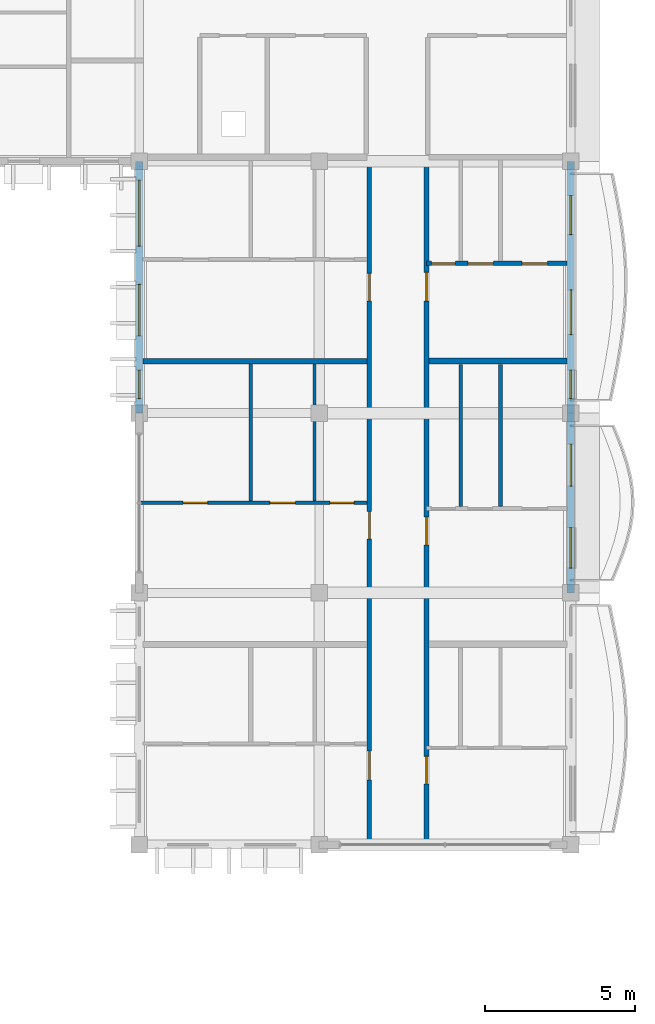
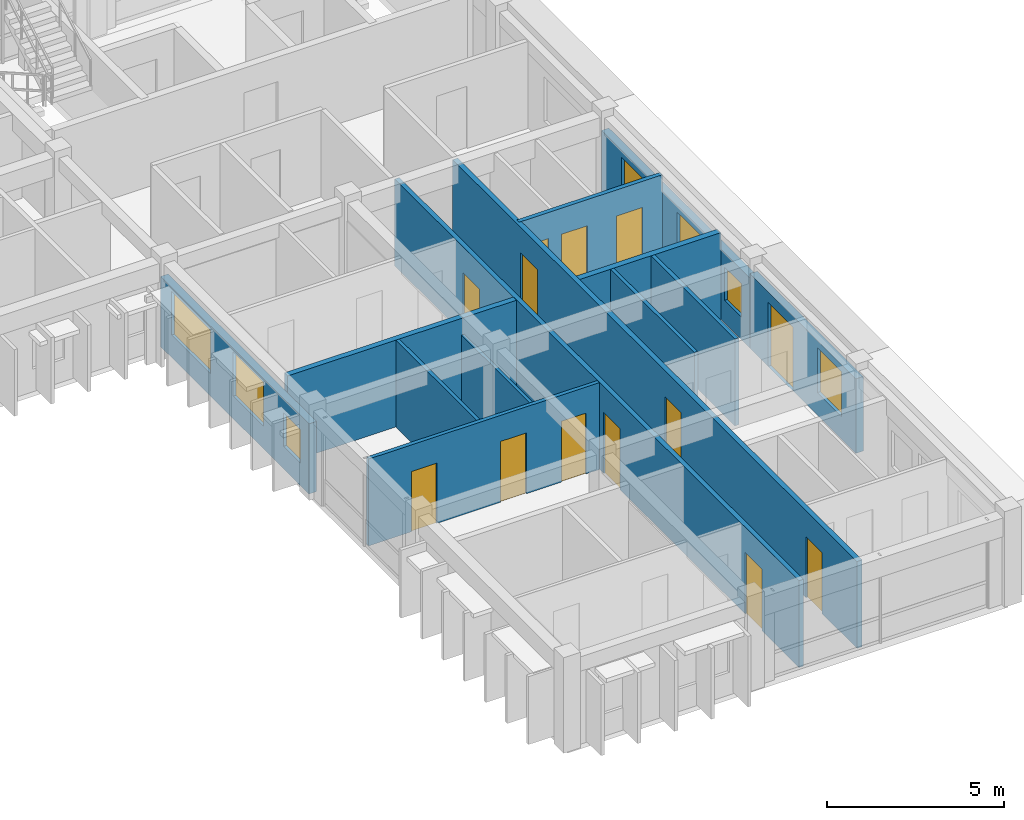
# One storey, part 17 of 31: 14 doors, 13 walls, 6 windows, 20 openings.
"""IFC4 building model written with IfcOpenShell, lengths in metres."""

from ifc_helpers import new_model, si_unit, direction, frame, frame_2d, origin, place, context, subcontext, project, spatial, rectangle, extrude, material, layer, layer_set, type_object, element, fill, save


model = new_model("IFC4")

# Units and contexts
model_context = context("Model", 3, precision=1e-05, world=origin(), true_north=direction((0.0, 1.0)))
body_context = subcontext(model_context, "Body", "Model", "MODEL_VIEW")
ifc_project = project(units=[si_unit("LENGTHUNIT", "METRE"), si_unit("AREAUNIT", "SQUARE_METRE"), si_unit("VOLUMEUNIT", "CUBIC_METRE"), si_unit("PLANEANGLEUNIT", "RADIAN"), si_unit("MASSUNIT", "GRAM", prefix="KILO"), si_unit("THERMODYNAMICTEMPERATUREUNIT", "KELVIN")], contexts=[model_context])

# Site, building, storey
site_placement = place(None, origin())
site = spatial("IfcSite", under=ifc_project, at=site_placement, CompositionType="ELEMENT")
building_placement = place(site_placement, origin())
building = spatial("IfcBuilding", under=site, at=building_placement, Name="Thalorik Housing Commons", CompositionType="ELEMENT")
storey_placement = place(building_placement, frame((0.0, 0.0, 37.800048828125)))
storey = spatial("IfcBuildingStorey", under=building, at=storey_placement, Name="L11", CompositionType="ELEMENT", Elevation=37.800048828125)

# Wall, openings, doors
ifc_material_1 = material(Name="Masonry fire-rated corridor wall", Category="masonry")
ifc_layer_1 = layer(ifc_material_1, 0.14990234375, Name="Masonry fire-rated corridor wall", Category="masonry")
ifc_layer_set_1 = layer_set([ifc_layer_1], Name="Masonry fire-rated corridor wall")
wall_type_1 = type_object("IfcWallType", Name="ARC-WAL-CORR-150", PredefinedType="PARTITIONING", material=ifc_layer_set_1)
wall_1_placement = place(storey_placement, frame((160.080078125, 86.4599609375, 0.0), z_axis=(0.0, 0.0, 1.0), x_axis=(0.0, 1.0, 0.0)))
wall_1 = element("IfcWall", 1, at=wall_1_placement, inside=storey, type_object=wall_type_1, Name="L11 Block B E Corridor Wall 1", PredefinedType="PARTITIONING", context=body_context, shape_type="SweptSolid", body=[
    extrude(rectangle(XDim=22.880126953125, YDim=0.14990234375, at=frame_2d((11.43994140625, 0.0))), origin(), (0.0, 0.0, 1.0), 3.0),
])
opening_1_placement = place(wall_1_placement, frame((2.10009765625, 0.0, 0.0)))
opening_1 = element("IfcOpeningElement", 2, at=opening_1_placement, cuts=wall_1, Name="Opening ID-1520", PredefinedType="OPENING", context=body_context, shape_type="SweptSolid", body=[
    extrude(rectangle(XDim=0.9599609375, YDim=2.1201171875, at=frame_2d((0.47998046875, 1.06005859375))), frame((0.0, 0.0849609375, 0.0), z_axis=(0.0, -1.0, 0.0), x_axis=(1.0, 0.0, 0.0)), (0.0, 0.0, 1.0), 0.169921875),
])
opening_2_placement = place(wall_1_placement, frame((10.135009765625, 0.0, 0.0)))
opening_2 = element("IfcOpeningElement", 3, at=opening_2_placement, cuts=wall_1, Name="Opening ID-1521", PredefinedType="OPENING", context=body_context, shape_type="SweptSolid", body=[
    extrude(rectangle(XDim=0.919921875, YDim=2.10009765625, at=frame_2d((0.4599609375, 1.050048828125))), frame((0.0, 0.0849609375, 0.0), z_axis=(0.0, -1.0, 0.0), x_axis=(1.0, 0.0, 0.0)), (0.0, 0.0, 1.0), 0.169921875),
])
opening_3_placement = place(wall_1_placement, frame((18.082763671875, 0.0, 0.0)))
opening_3 = element("IfcOpeningElement", 4, at=opening_3_placement, cuts=wall_1, Name="Opening ID-1522", PredefinedType="OPENING", context=body_context, shape_type="SweptSolid", body=[
    extrude(rectangle(XDim=0.919921875, YDim=2.10009765625, at=frame_2d((0.4599609375, 1.050048828125))), frame((0.0, 0.0849609375, 0.0), z_axis=(0.0, -1.0, 0.0), x_axis=(1.0, 0.0, 0.0)), (0.0, 0.0, 1.0), 0.169921875),
])
ifc_material_2 = material(Name="Solid core hardwood timber", Category="wood")
door_type_1 = type_object("IfcDoorType", Name="ARC-DR-FD30-920", OperationType="NOTDEFINED", PredefinedType="DOOR", material=ifc_material_2)
door_1_placement = place(opening_2_placement, origin())
door_1 = element("IfcDoor", 5, at=door_1_placement, inside=storey, type_object=door_type_1, Name="L11 Flat BE-2A Entrance Door", OperationType="SINGLE_SWING_RIGHT", OverallHeight=2.10009765625, OverallWidth=0.919921875, PredefinedType="DOOR", context=body_context, shape_type="SweptSolid", body=[
    extrude(rectangle(XDim=0.919921875, YDim=2.10009765625, at=frame_2d((0.4599609375, 1.050048828125))), frame((0.0, 0.02490234375, 0.0), z_axis=(0.0, -1.0, 0.0), x_axis=(1.0, 0.0, 0.0)), (0.0, 0.0, 1.0), 0.050048828125),
])
fill(opening_2, door_1)
door_2_placement = place(opening_3_placement, origin())
door_2 = element("IfcDoor", 6, at=door_2_placement, inside=storey, type_object=door_type_1, Name="L11 Flat BE-3A Entrance Door", OperationType="SINGLE_SWING_LEFT", OverallHeight=2.10009765625, OverallWidth=0.919921875, PredefinedType="DOOR", context=body_context, shape_type="SweptSolid", body=[
    extrude(rectangle(XDim=0.919921875, YDim=2.10009765625, at=frame_2d((0.4599609375, 1.050048828125))), frame((0.0, 0.02490234375, 0.0), z_axis=(0.0, -1.0, 0.0), x_axis=(1.0, 0.0, 0.0)), (0.0, 0.0, 1.0), 0.050048828125),
])
fill(opening_3, door_2)
door_type_2 = type_object("IfcDoorType", Name="ARC-DR-FD30-960", OperationType="NOTDEFINED", PredefinedType="DOOR", material=ifc_material_2)
door_3_placement = place(opening_1_placement, origin())
door_3 = element("IfcDoor", 7, at=door_3_placement, inside=storey, type_object=door_type_2, Name="L11 Flat BE-1A Entrance Door", OperationType="SINGLE_SWING_LEFT", OverallHeight=2.1201171875, OverallWidth=0.9599609375, PredefinedType="DOOR", context=body_context, shape_type="SweptSolid", body=[
    extrude(rectangle(XDim=0.9599609375, YDim=2.1201171875, at=frame_2d((0.47998046875, 1.06005859375))), frame((0.0, 0.02490234375, 0.0), z_axis=(0.0, -1.0, 0.0), x_axis=(1.0, 0.0, 0.0)), (0.0, 0.0, 1.0), 0.050048828125),
])
fill(opening_1, door_3)

ifc_layer_2 = layer(ifc_material_1, 0.1650390625, Name="Masonry fire-rated corridor wall", Category="masonry")
ifc_layer_set_2 = layer_set([ifc_layer_2], Name="Masonry fire-rated corridor wall")
wall_type_2 = type_object("IfcWallType", Name="ARC-WAL-CORR-165", PredefinedType="PARTITIONING", material=ifc_layer_set_2)
wall_2_placement = place(storey_placement, frame((161.97998046875, 86.4599609375, 0.0), z_axis=(0.0, 0.0, 1.0), x_axis=(0.0, 1.0, 0.0)))
wall_2 = element("IfcWall", 8, at=wall_2_placement, inside=storey, type_object=wall_type_2, Name="L11 Block B E Corridor Wall 2", PredefinedType="PARTITIONING", context=body_context, shape_type="SweptSolid", body=[
    extrude(rectangle(XDim=22.880126953125, YDim=0.1650390625, at=frame_2d((11.43994140625, 0.0))), origin(), (0.0, 0.0, 1.0), 3.0),
])
opening_4_placement = place(wall_2_placement, frame((1.967529296875, 0.0, 0.0)))
opening_4 = element("IfcOpeningElement", 9, at=opening_4_placement, cuts=wall_2, Name="Opening ID-1523", PredefinedType="OPENING", context=body_context, shape_type="SweptSolid", body=[
    extrude(rectangle(XDim=0.919921875, YDim=2.10009765625, at=frame_2d((0.4599609375, 1.050048828125))), frame((0.0, 0.092529296875, 0.0), z_axis=(0.0, -1.0, 0.0), x_axis=(1.0, 0.0, 0.0)), (0.0, 0.0, 1.0), 0.18505859375),
])
opening_5_placement = place(wall_2_placement, frame((9.946044921875, 0.0, 0.0)))
opening_5 = element("IfcOpeningElement", 10, at=opening_5_placement, cuts=wall_2, Name="Opening ID-1524", PredefinedType="OPENING", context=body_context, shape_type="SweptSolid", body=[
    extrude(rectangle(XDim=0.919921875, YDim=2.10009765625, at=frame_2d((0.4599609375, 1.050048828125))), frame((0.0, 0.092529296875, 0.0), z_axis=(0.0, -1.0, 0.0), x_axis=(1.0, 0.0, 0.0)), (0.0, 0.0, 1.0), 0.18505859375),
])
opening_6_placement = place(wall_2_placement, frame((18.072265625, 0.0, 0.0)))
opening_6 = element("IfcOpeningElement", 11, at=opening_6_placement, cuts=wall_2, Name="Opening ID-1525", PredefinedType="OPENING", context=body_context, shape_type="SweptSolid", body=[
    extrude(rectangle(XDim=0.9599609375, YDim=2.1201171875, at=frame_2d((0.47998046875, 1.06005859375))), frame((0.0, 0.092529296875, 0.0), z_axis=(0.0, -1.0, 0.0), x_axis=(1.0, 0.0, 0.0)), (0.0, 0.0, 1.0), 0.18505859375),
])
door_4_placement = place(opening_4_placement, origin())
door_4 = element("IfcDoor", 12, at=door_4_placement, inside=storey, type_object=door_type_1, Name="L11 Flat BE-1B Entrance Door", OperationType="SINGLE_SWING_RIGHT", OverallHeight=2.10009765625, OverallWidth=0.919921875, PredefinedType="DOOR", context=body_context, shape_type="SweptSolid", body=[
    extrude(rectangle(XDim=0.919921875, YDim=2.10009765625, at=frame_2d((0.4599609375, 1.050048828125))), frame((0.0, 0.02490234375, 0.0), z_axis=(0.0, -1.0, 0.0), x_axis=(1.0, 0.0, 0.0)), (0.0, 0.0, 1.0), 0.050048828125),
])
fill(opening_4, door_4)
door_5_placement = place(opening_5_placement, origin())
door_5 = element("IfcDoor", 13, at=door_5_placement, inside=storey, type_object=door_type_1, Name="L11 Flat BE-2B Entrance Door", OperationType="SINGLE_SWING_LEFT", OverallHeight=2.10009765625, OverallWidth=0.919921875, PredefinedType="DOOR", context=body_context, shape_type="SweptSolid", body=[
    extrude(rectangle(XDim=0.919921875, YDim=2.10009765625, at=frame_2d((0.4599609375, 1.050048828125))), frame((0.0, 0.02490234375, 0.0), z_axis=(0.0, -1.0, 0.0), x_axis=(1.0, 0.0, 0.0)), (0.0, 0.0, 1.0), 0.050048828125),
])
fill(opening_5, door_5)
door_6_placement = place(opening_6_placement, origin())
door_6 = element("IfcDoor", 14, at=door_6_placement, inside=storey, type_object=door_type_2, Name="L11 Flat BE-3B Entrance Door", OperationType="SINGLE_SWING_RIGHT", OverallHeight=2.1201171875, OverallWidth=0.9599609375, PredefinedType="DOOR", context=body_context, shape_type="SweptSolid", body=[
    extrude(rectangle(XDim=0.9599609375, YDim=2.1201171875, at=frame_2d((0.47998046875, 1.06005859375))), frame((0.0, 0.02490234375, 0.0), z_axis=(0.0, -1.0, 0.0), x_axis=(1.0, 0.0, 0.0)), (0.0, 0.0, 1.0), 0.050048828125),
])
fill(opening_6, door_6)

# Wall, openings, windows
ifc_material_3 = material(Name="White precast concrete C40/50", Category="concrete")
ifc_layer_3 = layer(ifc_material_3, 0.2451171875, Name="White precast concrete C40/50", Category="concrete")
ifc_layer_set_3 = layer_set([ifc_layer_3], Name="White precast concrete C40/50")
wall_type_3 = type_object("IfcWallType", Name="ARC-WAL-EXT-245", PredefinedType="STANDARD", material=ifc_layer_set_3)
wall_3_placement = place(storey_placement, frame((152.39990234375, 109.199951171875, 0.0), z_axis=(0.0, 0.0, 1.0), x_axis=(0.0, -1.0, 0.0)))
wall_3 = element("IfcWall", 15, at=wall_3_placement, inside=storey, type_object=wall_type_3, Name="L11 Exterior Wall WAL-EXT-L11-B-0787", PredefinedType="STANDARD", context=body_context, shape_type="SweptSolid", body=[
    extrude(rectangle(XDim=8.39990234375, YDim=0.2451171875, at=frame_2d((4.199951171875, 0.0))), origin(), (0.0, 0.0, 1.0), 2.425048828125),
])
opening_7_placement = place(wall_3_placement, frame((0.62744140625, 0.0, 0.780029296875)))
opening_7 = element("IfcOpeningElement", 16, at=opening_7_placement, cuts=wall_3, Name="Opening W-29", PredefinedType="OPENING", context=body_context, shape_type="SweptSolid", body=[
    extrude(rectangle(XDim=2.199951171875, YDim=1.5, at=frame_2d((1.10009765625, 0.75))), frame((0.0, 0.132568359375, 0.0), z_axis=(0.0, -1.0, 0.0), x_axis=(1.0, 0.0, 0.0)), (0.0, 0.0, 1.0), 0.26513671875),
])
opening_8_placement = place(wall_3_placement, frame((4.107421875, 0.0, 0.780029296875)))
opening_8 = element("IfcOpeningElement", 17, at=opening_8_placement, cuts=wall_3, Name="Opening W-56", PredefinedType="OPENING", context=body_context, shape_type="SweptSolid", body=[
    extrude(rectangle(XDim=1.719970703125, YDim=1.52001953125, at=frame_2d((0.85986328125, 0.760009765625))), frame((0.0, 0.132568359375, 0.0), z_axis=(0.0, -1.0, 0.0), x_axis=(1.0, 0.0, 0.0)), (0.0, 0.0, 1.0), 0.26513671875),
])
opening_9_placement = place(wall_3_placement, frame((6.965087890625, 0.0, 0.780029296875)))
opening_9 = element("IfcOpeningElement", 18, at=opening_9_placement, cuts=wall_3, Name="Opening W-43", PredefinedType="OPENING", context=body_context, shape_type="SweptSolid", body=[
    extrude(rectangle(XDim=0.949951171875, YDim=1.14990234375, at=frame_2d((0.47509765625, 0.574951171875))), frame((0.0, 0.132568359375, 0.0), z_axis=(0.0, -1.0, 0.0), x_axis=(1.0, 0.0, 0.0)), (0.0, 0.0, 1.0), 0.26513671875),
])
ifc_material_4 = material(Name="Anodised aluminium and solar-control low-E glass", Category="aluminium")
window_type_1 = type_object("IfcWindowType", Name="ARC-WIN-29", PartitioningType="DOUBLE_PANEL_VERTICAL", PredefinedType="WINDOW", material=ifc_material_4)
window_1_placement = place(opening_7_placement, origin())
window_1 = element("IfcWindow", 19, at=window_1_placement, inside=storey, type_object=window_type_1, Name="L11 Facade Window 1450", OverallHeight=1.5, OverallWidth=2.199951171875, PartitioningType="DOUBLE_PANEL_VERTICAL", PredefinedType="WINDOW", context=body_context, shape_type="SweptSolid", body=[
    extrude(rectangle(XDim=2.199951171875, YDim=1.5, at=frame_2d((1.10009765625, 0.75))), frame((0.0, 0.030029296875, 0.0), z_axis=(0.0, -1.0, 0.0), x_axis=(1.0, 0.0, 0.0)), (0.0, 0.0, 1.0), 0.06005859375),
])
fill(opening_7, window_1)
window_type_2 = type_object("IfcWindowType", Name="ARC-WIN-43", PartitioningType="SINGLE_PANEL", PredefinedType="WINDOW", material=ifc_material_4)
window_2_placement = place(opening_9_placement, origin())
window_2 = element("IfcWindow", 20, at=window_2_placement, inside=storey, type_object=window_type_2, Name="L11 Facade Window 1452", OverallHeight=1.14990234375, OverallWidth=0.949951171875, PartitioningType="SINGLE_PANEL", PredefinedType="WINDOW", context=body_context, shape_type="SweptSolid", body=[
    extrude(rectangle(XDim=0.949951171875, YDim=1.14990234375, at=frame_2d((0.47509765625, 0.574951171875))), frame((0.0, 0.030029296875, 0.0), z_axis=(0.0, -1.0, 0.0), x_axis=(1.0, 0.0, 0.0)), (0.0, 0.0, 1.0), 0.06005859375),
])
fill(opening_9, window_2)
window_type_3 = type_object("IfcWindowType", Name="ARC-WIN-56", PartitioningType="DOUBLE_PANEL_VERTICAL", PredefinedType="WINDOW", material=ifc_material_4)
window_3_placement = place(opening_8_placement, origin())
window_3 = element("IfcWindow", 21, at=window_3_placement, inside=storey, type_object=window_type_3, Name="L11 Facade Window 1451", OverallHeight=1.52001953125, OverallWidth=1.719970703125, PartitioningType="DOUBLE_PANEL_VERTICAL", PredefinedType="WINDOW", context=body_context, shape_type="SweptSolid", body=[
    extrude(rectangle(XDim=1.719970703125, YDim=1.52001953125, at=frame_2d((0.85986328125, 0.760009765625))), frame((0.0, 0.030029296875, 0.0), z_axis=(0.0, -1.0, 0.0), x_axis=(1.0, 0.0, 0.0)), (0.0, 0.0, 1.0), 0.06005859375),
])
fill(opening_8, window_3)

# Wall, openings, door, window
wall_4_placement = place(storey_placement, frame((166.800048828125, 94.800048828125, 0.0), z_axis=(0.0, 0.0, 1.0), x_axis=(0.0, 1.0, 0.0)))
wall_4 = element("IfcWall", 22, at=wall_4_placement, inside=storey, type_object=wall_type_3, Name="L11 Exterior Wall WAL-EXT-L11-B-0793", PredefinedType="STANDARD", context=body_context, shape_type="SweptSolid", body=[
    extrude(rectangle(XDim=6.0, YDim=0.2451171875, at=frame_2d((3.0, 0.0))), origin(), (0.0, 0.0, 1.0), 2.574951171875),
])
opening_10_placement = place(wall_4_placement, frame((3.56298828125, 0.0, 0.0)))
opening_10 = element("IfcOpeningElement", 23, at=opening_10_placement, cuts=wall_4, Name="Opening ED-0270", PredefinedType="OPENING", context=body_context, shape_type="SweptSolid", body=[
    extrude(rectangle(XDim=1.39990234375, YDim=2.199951171875, at=frame_2d((0.699951171875, 1.10009765625))), frame((0.0, 0.132568359375, 0.0), z_axis=(0.0, -1.0, 0.0), x_axis=(1.0, 0.0, 0.0)), (0.0, 0.0, 1.0), 0.26513671875),
])
opening_11_placement = place(wall_4_placement, frame((0.827880859375, 0.0, 0.780029296875)))
opening_11 = element("IfcOpeningElement", 24, at=opening_11_placement, cuts=wall_4, Name="Opening W-07", PredefinedType="OPENING", context=body_context, shape_type="SweptSolid", body=[
    extrude(rectangle(XDim=1.35009765625, YDim=1.550048828125, at=frame_2d((0.675048828125, 0.77490234375))), frame((0.0, 0.132568359375, 0.0), z_axis=(0.0, -1.0, 0.0), x_axis=(1.0, 0.0, 0.0)), (0.0, 0.0, 1.0), 0.26513671875),
])
ifc_material_5 = material(Name="Anodised aluminium and laminated safety glass", Category="aluminium")
door_type_3 = type_object("IfcDoorType", Name="ARC-DR-BAL-1400", OperationType="NOTDEFINED", PredefinedType="DOOR", material=ifc_material_5)
door_7_placement = place(opening_10_placement, frame((1.39990234375, 0.0, 0.0), z_axis=(0.0, 0.0, 1.0), x_axis=(-1.0, 0.0, 0.0)))
door_7 = element("IfcDoor", 25, at=door_7_placement, inside=storey, type_object=door_type_3, Name="L11 Block B Balcony Glazed Door", OperationType="SLIDING_TO_LEFT", OverallHeight=2.199951171875, OverallWidth=1.39990234375, PredefinedType="DOOR", context=body_context, shape_type="SweptSolid", body=[
    extrude(rectangle(XDim=1.39990234375, YDim=2.199951171875, at=frame_2d((0.699951171875, 1.10009765625))), frame((0.0, 0.02490234375, 0.0), z_axis=(0.0, -1.0, 0.0), x_axis=(1.0, 0.0, 0.0)), (0.0, 0.0, 1.0), 0.050048828125),
])
fill(opening_10, door_7)
window_type_4 = type_object("IfcWindowType", Name="ARC-WIN-07", PartitioningType="SINGLE_PANEL", PredefinedType="WINDOW", material=ifc_material_4)
window_4_placement = place(opening_11_placement, origin())
window_4 = element("IfcWindow", 26, at=window_4_placement, inside=storey, type_object=window_type_4, Name="L11 Facade Window 1461", OverallHeight=1.550048828125, OverallWidth=1.35009765625, PartitioningType="SINGLE_PANEL", PredefinedType="WINDOW", context=body_context, shape_type="SweptSolid", body=[
    extrude(rectangle(XDim=1.35009765625, YDim=1.550048828125, at=frame_2d((0.675048828125, 0.77490234375))), frame((0.0, 0.030029296875, 0.0), z_axis=(0.0, -1.0, 0.0), x_axis=(1.0, 0.0, 0.0)), (0.0, 0.0, 1.0), 0.06005859375),
])
fill(opening_11, window_4)

# Wall, openings, door, windows
wall_5_placement = place(storey_placement, frame((166.800048828125, 100.800048828125, 0.0), z_axis=(0.0, 0.0, 1.0), x_axis=(0.0, 1.0, 0.0)))
wall_5 = element("IfcWall", 27, at=wall_5_placement, inside=storey, type_object=wall_type_3, Name="L11 Exterior Wall WAL-EXT-L11-B-0794", PredefinedType="STANDARD", context=body_context, shape_type="SweptSolid", body=[
    extrude(rectangle(XDim=8.39990234375, YDim=0.2451171875, at=frame_2d((4.199951171875, 0.0))), origin(), (0.0, 0.0, 1.0), 2.425048828125),
])
opening_12_placement = place(wall_5_placement, frame((2.614501953125, 0.0, 0.0)))
opening_12 = element("IfcOpeningElement", 28, at=opening_12_placement, cuts=wall_5, Name="Opening ED-0271", PredefinedType="OPENING", context=body_context, shape_type="SweptSolid", body=[
    extrude(rectangle(XDim=1.5, YDim=2.199951171875, at=frame_2d((0.75, 1.10009765625))), frame((0.0, 0.132568359375, 0.0), z_axis=(0.0, -1.0, 0.0), x_axis=(1.0, 0.0, 0.0)), (0.0, 0.0, 1.0), 0.26513671875),
])
opening_13_placement = place(wall_5_placement, frame((0.485107421875, 0.0, 0.780029296875)))
opening_13 = element("IfcOpeningElement", 29, at=opening_13_placement, cuts=wall_5, Name="Opening W-43", PredefinedType="OPENING", context=body_context, shape_type="SweptSolid", body=[
    extrude(rectangle(XDim=0.949951171875, YDim=1.14990234375, at=frame_2d((0.47509765625, 0.574951171875))), frame((0.0, 0.132568359375, 0.0), z_axis=(0.0, -1.0, 0.0), x_axis=(1.0, 0.0, 0.0)), (0.0, 0.0, 1.0), 0.26513671875),
])
opening_14_placement = place(wall_5_placement, frame((5.954345703125, 0.0, 0.780029296875)))
opening_14 = element("IfcOpeningElement", 30, at=opening_14_placement, cuts=wall_5, Name="Opening W-06", PredefinedType="OPENING", context=body_context, shape_type="SweptSolid", body=[
    extrude(rectangle(XDim=1.300048828125, YDim=1.39990234375, at=frame_2d((0.64990234375, 0.699951171875))), frame((0.0, 0.132568359375, 0.0), z_axis=(0.0, -1.0, 0.0), x_axis=(1.0, 0.0, 0.0)), (0.0, 0.0, 1.0), 0.26513671875),
])
door_type_4 = type_object("IfcDoorType", Name="ARC-DR-BAL-1500", OperationType="NOTDEFINED", PredefinedType="DOOR", material=ifc_material_5)
door_8_placement = place(opening_12_placement, frame((1.5, 0.0, 0.0), z_axis=(0.0, 0.0, 1.0), x_axis=(-1.0, 0.0, 0.0)))
door_8 = element("IfcDoor", 31, at=door_8_placement, inside=storey, type_object=door_type_4, Name="L11 Block B Balcony Glazed Door", OperationType="SLIDING_TO_RIGHT", OverallHeight=2.199951171875, OverallWidth=1.5, PredefinedType="DOOR", context=body_context, shape_type="SweptSolid", body=[
    extrude(rectangle(XDim=1.5, YDim=2.199951171875, at=frame_2d((0.75, 1.10009765625))), frame((0.0, 0.02490234375, 0.0), z_axis=(0.0, -1.0, 0.0), x_axis=(1.0, 0.0, 0.0)), (0.0, 0.0, 1.0), 0.050048828125),
])
fill(opening_12, door_8)
window_type_5 = type_object("IfcWindowType", Name="ARC-WIN-06", PartitioningType="SINGLE_PANEL", PredefinedType="WINDOW", material=ifc_material_4)
window_5_placement = place(opening_14_placement, origin())
window_5 = element("IfcWindow", 32, at=window_5_placement, inside=storey, type_object=window_type_5, Name="L11 Facade Window 1463", OverallHeight=1.39990234375, OverallWidth=1.300048828125, PartitioningType="SINGLE_PANEL", PredefinedType="WINDOW", context=body_context, shape_type="SweptSolid", body=[
    extrude(rectangle(XDim=1.300048828125, YDim=1.39990234375, at=frame_2d((0.64990234375, 0.699951171875))), frame((0.0, 0.030029296875, 0.0), z_axis=(0.0, -1.0, 0.0), x_axis=(1.0, 0.0, 0.0)), (0.0, 0.0, 1.0), 0.06005859375),
])
fill(opening_14, window_5)
window_6_placement = place(opening_13_placement, origin())
window_6 = element("IfcWindow", 33, at=window_6_placement, inside=storey, type_object=window_type_2, Name="L11 Facade Window 1462", OverallHeight=1.14990234375, OverallWidth=0.949951171875, PartitioningType="SINGLE_PANEL", PredefinedType="WINDOW", context=body_context, shape_type="SweptSolid", body=[
    extrude(rectangle(XDim=0.949951171875, YDim=1.14990234375, at=frame_2d((0.47509765625, 0.574951171875))), frame((0.0, 0.030029296875, 0.0), z_axis=(0.0, -1.0, 0.0), x_axis=(1.0, 0.0, 0.0)), (0.0, 0.0, 1.0), 0.06005859375),
])
fill(opening_13, window_6)

# Walls
ifc_material_6 = material(Name="Gypsum light stud partition", Category="masonry")
ifc_layer_4 = layer(ifc_material_6, 0.10009765625, Name="Gypsum light stud partition", Category="masonry")
ifc_layer_set_4 = layer_set([ifc_layer_4], Name="Gypsum light stud partition")
wall_type_4 = type_object("IfcWallType", Name="ARC-WAL-PART-100", PredefinedType="PARTITIONING", material=ifc_layer_set_4)
wall_6_placement = place(storey_placement, frame((158.251220703125, 97.869384765625, 0.0), z_axis=(0.0, 0.0, 1.0), x_axis=(0.0, 1.0, 0.0)))
element("IfcWall", 34, at=wall_6_placement, inside=storey, type_object=wall_type_4, Name="L11 Unit 2 Wet Wall", PredefinedType="PARTITIONING", context=body_context, shape_type="SweptSolid", body=[
    extrude(rectangle(XDim=4.566162109375, YDim=0.10009765625, at=frame_2d((2.283203125, 0.0))), origin(), (0.0, 0.0, 1.0), 2.425048828125),
])
ifc_material_7 = material(Name="Gypsum moisture-resistant partition", Category="masonry")
ifc_layer_5 = layer(ifc_material_7, 0.114990234375, Name="Gypsum moisture-resistant partition", Category="masonry")
ifc_layer_set_5 = layer_set([ifc_layer_5], Name="Gypsum moisture-resistant partition")
wall_type_5 = type_object("IfcWallType", Name="ARC-WAL-PART-115", PredefinedType="PARTITIONING", material=ifc_layer_set_5)
wall_7_placement = place(storey_placement, frame((156.11767578125, 97.869384765625, 0.0), z_axis=(0.0, 0.0, 1.0), x_axis=(0.0, 1.0, 0.0)))
element("IfcWall", 35, at=wall_7_placement, inside=storey, type_object=wall_type_5, Name="L11 Unit 2 Bedroom Partition", PredefinedType="PARTITIONING", context=body_context, shape_type="SweptSolid", body=[
    extrude(rectangle(XDim=4.566162109375, YDim=0.114990234375, at=frame_2d((2.283203125, 0.0))), origin(), (0.0, 0.0, 1.0), 3.0),
])
wall_8_placement = place(storey_placement, frame((163.122314453125, 97.68798828125, 0.0), z_axis=(0.0, 0.0, 1.0), x_axis=(0.0, 1.0, 0.0)))
element("IfcWall", 36, at=wall_8_placement, inside=storey, type_object=wall_type_5, Name="L11 Unit 2B Wet Wall", PredefinedType="PARTITIONING", context=body_context, shape_type="SweptSolid", body=[
    extrude(rectangle(XDim=4.739990234375, YDim=0.114990234375, at=frame_2d((2.3701171875, 0.0))), origin(), (0.0, 0.0, 1.0), 3.0),
])

# Wall, openings, doors
ifc_material_8 = material(Name="Gypsum acoustic stud partition", Category="masonry")
ifc_layer_6 = layer(ifc_material_8, 0.125, Name="Gypsum acoustic stud partition", Category="masonry")
ifc_layer_set_6 = layer_set([ifc_layer_6], Name="Gypsum acoustic stud partition")
wall_type_6 = type_object("IfcWallType", Name="ARC-WAL-PART-125", PredefinedType="PARTITIONING", material=ifc_layer_set_6)
wall_9_placement = place(storey_placement, frame((152.4599609375, 97.804931640625, 0.0), z_axis=(0.0, 0.0, 1.0), x_axis=(1.0, 0.0, 0.0)))
wall_9 = element("IfcWall", 37, at=wall_9_placement, inside=storey, type_object=wall_type_6, Name="L11 Unit 2 Spine Partition", PredefinedType="PARTITIONING", context=body_context, shape_type="SweptSolid", body=[
    extrude(rectangle(XDim=7.54296875, YDim=0.125, at=frame_2d((3.771484375, 0.0))), origin(), (0.0, 0.0, 1.0), 3.0),
])
opening_15_placement = place(wall_9_placement, frame((1.40380859375, 0.0, 0.0)))
opening_15 = element("IfcOpeningElement", 38, at=opening_15_placement, cuts=wall_9, Name="Opening ID-1508", PredefinedType="OPENING", context=body_context, shape_type="SweptSolid", body=[
    extrude(rectangle(XDim=0.820068359375, YDim=2.080078125, at=frame_2d((0.41015625, 1.0400390625))), frame((0.0, 0.072509765625, 0.0), z_axis=(0.0, -1.0, 0.0), x_axis=(1.0, 0.0, 0.0)), (0.0, 0.0, 1.0), 0.14501953125),
])
opening_16_placement = place(wall_9_placement, frame((4.29931640625, 0.0, 0.0)))
opening_16 = element("IfcOpeningElement", 39, at=opening_16_placement, cuts=wall_9, Name="Opening ID-1509", PredefinedType="OPENING", context=body_context, shape_type="SweptSolid", body=[
    extrude(rectangle(XDim=0.85009765625, YDim=2.10009765625, at=frame_2d((0.425048828125, 1.050048828125))), frame((0.0, 0.072509765625, 0.0), z_axis=(0.0, -1.0, 0.0), x_axis=(1.0, 0.0, 0.0)), (0.0, 0.0, 1.0), 0.14501953125),
])
opening_17_placement = place(wall_9_placement, frame((6.3056640625, 0.0, 0.0)))
opening_17 = element("IfcOpeningElement", 40, at=opening_17_placement, cuts=wall_9, Name="Opening ID-1510", PredefinedType="OPENING", context=body_context, shape_type="SweptSolid", body=[
    extrude(rectangle(XDim=0.800048828125, YDim=2.10009765625, at=frame_2d((0.39990234375, 1.050048828125))), frame((0.0, 0.072509765625, 0.0), z_axis=(0.0, -1.0, 0.0), x_axis=(1.0, 0.0, 0.0)), (0.0, 0.0, 1.0), 0.14501953125),
])
ifc_material_9 = material(Name="Moisture-resistant timber", Category="wood")
door_type_5 = type_object("IfcDoorType", Name="ARC-DR-INT-800", OperationType="NOTDEFINED", PredefinedType="DOOR", material=ifc_material_9)
door_9_placement = place(opening_17_placement, origin())
door_9 = element("IfcDoor", 41, at=door_9_placement, inside=storey, type_object=door_type_5, Name="L11 Flat Bathroom Door", OperationType="SINGLE_SWING_LEFT", OverallHeight=2.10009765625, OverallWidth=0.800048828125, PredefinedType="DOOR", context=body_context, shape_type="SweptSolid", body=[
    extrude(rectangle(XDim=0.800048828125, YDim=2.10009765625, at=frame_2d((0.39990234375, 1.050048828125))), frame((0.0, 0.02490234375, 0.0), z_axis=(0.0, -1.0, 0.0), x_axis=(1.0, 0.0, 0.0)), (0.0, 0.0, 1.0), 0.050048828125),
])
fill(opening_17, door_9)
ifc_material_10 = material(Name="Engineered oak timber", Category="wood")
door_type_6 = type_object("IfcDoorType", Name="ARC-DR-INT-820", OperationType="NOTDEFINED", PredefinedType="DOOR", material=ifc_material_10)
door_10_placement = place(opening_15_placement, origin())
door_10 = element("IfcDoor", 42, at=door_10_placement, inside=storey, type_object=door_type_6, Name="L11 Double Bedroom Door", OperationType="SINGLE_SWING_LEFT", OverallHeight=2.080078125, OverallWidth=0.820068359375, PredefinedType="DOOR", context=body_context, shape_type="SweptSolid", body=[
    extrude(rectangle(XDim=0.820068359375, YDim=2.080078125, at=frame_2d((0.41015625, 1.0400390625))), frame((0.0, 0.02490234375, 0.0), z_axis=(0.0, -1.0, 0.0), x_axis=(1.0, 0.0, 0.0)), (0.0, 0.0, 1.0), 0.050048828125),
])
fill(opening_15, door_10)
door_type_7 = type_object("IfcDoorType", Name="ARC-DR-INT-850", OperationType="NOTDEFINED", PredefinedType="DOOR", material=ifc_material_10)
door_11_placement = place(opening_16_placement, origin())
door_11 = element("IfcDoor", 43, at=door_11_placement, inside=storey, type_object=door_type_7, Name="L11 Galley Kitchen Door", OperationType="SINGLE_SWING_RIGHT", OverallHeight=2.10009765625, OverallWidth=0.85009765625, PredefinedType="DOOR", context=body_context, shape_type="SweptSolid", body=[
    extrude(rectangle(XDim=0.85009765625, YDim=2.10009765625, at=frame_2d((0.425048828125, 1.050048828125))), frame((0.0, 0.02490234375, 0.0), z_axis=(0.0, -1.0, 0.0), x_axis=(1.0, 0.0, 0.0)), (0.0, 0.0, 1.0), 0.050048828125),
])
fill(opening_16, door_11)

# Wall
wall_10_placement = place(storey_placement, frame((164.455078125, 97.68798828125, 0.0), z_axis=(0.0, 0.0, 1.0), x_axis=(0.0, 1.0, 0.0)))
element("IfcWall", 44, at=wall_10_placement, inside=storey, type_object=wall_type_6, Name="L11 Unit 2B Bedroom Partition", PredefinedType="PARTITIONING", context=body_context, shape_type="SweptSolid", body=[
    extrude(rectangle(XDim=4.739990234375, YDim=0.125, at=frame_2d((2.3701171875, 0.0))), origin(), (0.0, 0.0, 1.0), 3.0),
])

# Wall, openings, doors
ifc_material_11 = material(Name="Ceramic masonry partition wall", Category="masonry")
ifc_layer_7 = layer(ifc_material_11, 0.139892578125, Name="Ceramic masonry partition wall", Category="masonry")
ifc_layer_set_7 = layer_set([ifc_layer_7], Name="Ceramic masonry partition wall")
wall_type_7 = type_object("IfcWallType", Name="ARC-WAL-PART-140", PredefinedType="PARTITIONING", material=ifc_layer_set_7)
wall_11_placement = place(storey_placement, frame((161.97998046875, 105.798828125, 0.0), z_axis=(0.0, 0.0, 1.0), x_axis=(1.0, 0.0, 0.0)))
wall_11 = element("IfcWall", 45, at=wall_11_placement, inside=storey, type_object=wall_type_7, Name="L11 Unit 3B Spine Partition", PredefinedType="PARTITIONING", context=body_context, shape_type="SweptSolid", body=[
    extrude(rectangle(XDim=4.695556640625, YDim=0.139892578125, at=frame_2d((2.34765625, 0.0))), origin(), (0.0, 0.0, 1.0), 3.0),
])
opening_18_placement = place(wall_11_placement, frame((0.171142578125, 0.0, 0.0)))
opening_18 = element("IfcOpeningElement", 46, at=opening_18_placement, cuts=wall_11, Name="Opening ID-1517", PredefinedType="OPENING", context=body_context, shape_type="SweptSolid", body=[
    extrude(rectangle(XDim=0.800048828125, YDim=2.10009765625, at=frame_2d((0.39990234375, 1.050048828125))), frame((0.0, 0.080078125, 0.0), z_axis=(0.0, -1.0, 0.0), x_axis=(1.0, 0.0, 0.0)), (0.0, 0.0, 1.0), 0.159912109375),
])
opening_19_placement = place(wall_11_placement, frame((1.3837890625, 0.0, 0.0)))
opening_19 = element("IfcOpeningElement", 47, at=opening_19_placement, cuts=wall_11, Name="Opening ID-1518", PredefinedType="OPENING", context=body_context, shape_type="SweptSolid", body=[
    extrude(rectangle(XDim=0.85009765625, YDim=2.10009765625, at=frame_2d((0.425048828125, 1.050048828125))), frame((0.0, 0.080078125, 0.0), z_axis=(0.0, -1.0, 0.0), x_axis=(1.0, 0.0, 0.0)), (0.0, 0.0, 1.0), 0.159912109375),
])
opening_20_placement = place(wall_11_placement, frame((3.192626953125, 0.0, 0.0)))
opening_20 = element("IfcOpeningElement", 48, at=opening_20_placement, cuts=wall_11, Name="Opening ID-1519", PredefinedType="OPENING", context=body_context, shape_type="SweptSolid", body=[
    extrude(rectangle(XDim=0.85009765625, YDim=2.10009765625, at=frame_2d((0.425048828125, 1.050048828125))), frame((0.0, 0.080078125, 0.0), z_axis=(0.0, -1.0, 0.0), x_axis=(1.0, 0.0, 0.0)), (0.0, 0.0, 1.0), 0.159912109375),
])
door_12_placement = place(opening_18_placement, origin())
door_12 = element("IfcDoor", 49, at=door_12_placement, inside=storey, type_object=door_type_5, Name="L11 Accessible Bathroom Door", OperationType="SINGLE_SWING_RIGHT", OverallHeight=2.10009765625, OverallWidth=0.800048828125, PredefinedType="DOOR", context=body_context, shape_type="SweptSolid", body=[
    extrude(rectangle(XDim=0.800048828125, YDim=2.10009765625, at=frame_2d((0.39990234375, 1.050048828125))), frame((0.0, 0.02490234375, 0.0), z_axis=(0.0, -1.0, 0.0), x_axis=(1.0, 0.0, 0.0)), (0.0, 0.0, 1.0), 0.050048828125),
])
fill(opening_18, door_12)
door_13_placement = place(opening_19_placement, origin())
door_13 = element("IfcDoor", 50, at=door_13_placement, inside=storey, type_object=door_type_7, Name="L11 Eat-In Kitchen Door", OperationType="SINGLE_SWING_LEFT", OverallHeight=2.10009765625, OverallWidth=0.85009765625, PredefinedType="DOOR", context=body_context, shape_type="SweptSolid", body=[
    extrude(rectangle(XDim=0.85009765625, YDim=2.10009765625, at=frame_2d((0.425048828125, 1.050048828125))), frame((0.0, 0.02490234375, 0.0), z_axis=(0.0, -1.0, 0.0), x_axis=(1.0, 0.0, 0.0)), (0.0, 0.0, 1.0), 0.050048828125),
])
fill(opening_19, door_13)
door_14_placement = place(opening_20_placement, origin())
door_14 = element("IfcDoor", 51, at=door_14_placement, inside=storey, type_object=door_type_7, Name="L11 Children's Bedroom Door", OperationType="SINGLE_SWING_RIGHT", OverallHeight=2.10009765625, OverallWidth=0.85009765625, PredefinedType="DOOR", context=body_context, shape_type="SweptSolid", body=[
    extrude(rectangle(XDim=0.85009765625, YDim=2.10009765625, at=frame_2d((0.425048828125, 1.050048828125))), frame((0.0, 0.02490234375, 0.0), z_axis=(0.0, -1.0, 0.0), x_axis=(1.0, 0.0, 0.0)), (0.0, 0.0, 1.0), 0.050048828125),
])
fill(opening_20, door_14)

# Walls
ifc_material_12 = material(Name="Masonry acoustic blockwork wall", Category="masonry")
ifc_layer_8 = layer(ifc_material_12, 0.18505859375, Name="Masonry acoustic blockwork wall", Category="masonry")
ifc_layer_set_8 = layer_set([ifc_layer_8], Name="Masonry acoustic blockwork wall")
wall_type_8 = type_object("IfcWallType", Name="ARC-WAL-PARTY-185", PredefinedType="PARTITIONING", material=ifc_layer_set_8)
wall_12_placement = place(storey_placement, frame((152.5244140625, 102.530029296875, 0.0), z_axis=(0.0, 0.0, 1.0), x_axis=(1.0, 0.0, 0.0)))
element("IfcWall", 52, at=wall_12_placement, inside=storey, type_object=wall_type_8, Name="L11 Inter-Tenancy Wall 2A", PredefinedType="PARTITIONING", context=body_context, shape_type="SweptSolid", body=[
    extrude(rectangle(XDim=7.478515625, YDim=0.18505859375, at=frame_2d((3.7392578125, 0.0))), origin(), (0.0, 0.0, 1.0), 3.0),
])
ifc_material_13 = material(Name="Precast concrete C40/50 acoustic wall", Category="concrete")
ifc_layer_9 = layer(ifc_material_13, 0.199951171875, Name="Precast concrete C40/50 acoustic wall", Category="concrete")
ifc_layer_set_9 = layer_set([ifc_layer_9], Name="Precast concrete C40/50 acoustic wall")
wall_type_9 = type_object("IfcWallType", Name="ARC-WAL-PARTY-200", PredefinedType="PARTITIONING", material=ifc_layer_set_9)
wall_13_placement = place(storey_placement, frame((162.064453125, 102.530029296875, 0.0), z_axis=(0.0, 0.0, 1.0), x_axis=(1.0, 0.0, 0.0)))
element("IfcWall", 53, at=wall_13_placement, inside=storey, type_object=wall_type_9, Name="L11 Inter-Tenancy Wall 2B", PredefinedType="PARTITIONING", context=body_context, shape_type="SweptSolid", body=[
    extrude(rectangle(XDim=4.611083984375, YDim=0.199951171875, at=frame_2d((2.3056640625, 0.0))), origin(), (0.0, 0.0, 1.0), 3.0),
])

save(model, "model.ifc")
